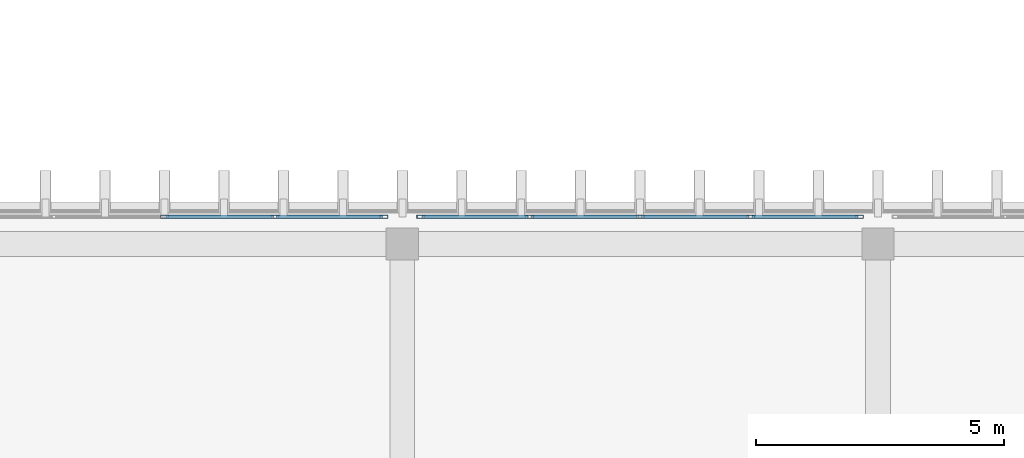
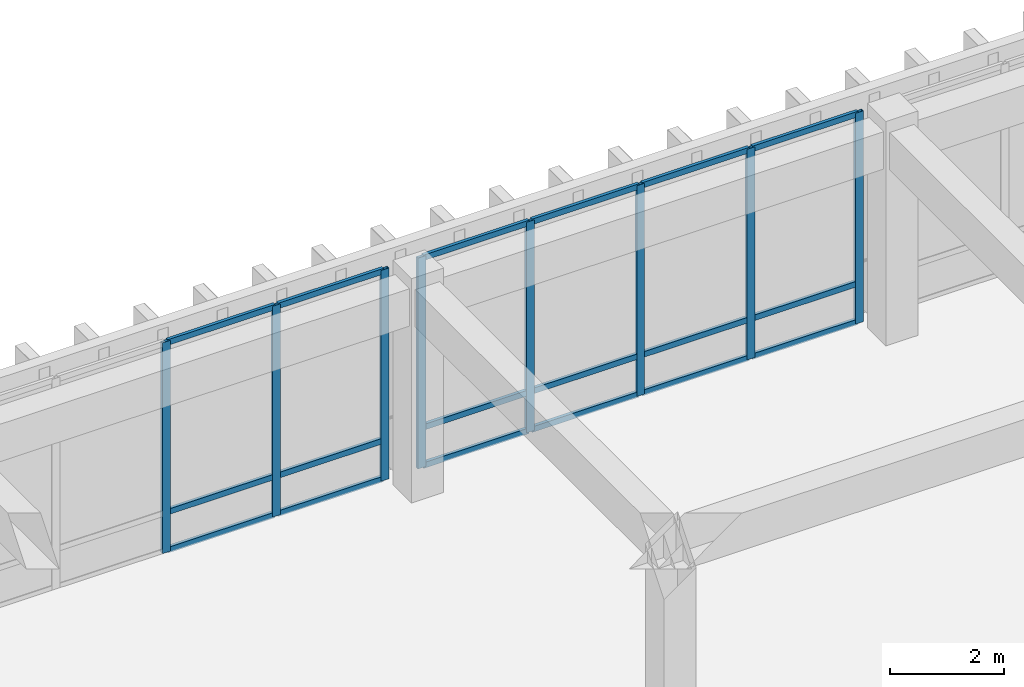
# One storey, part 28 of 101: 26 members, 2 elements without a shape of their own.
"""IFC4 building model written with IfcOpenShell, lengths in metres."""

import ifcopenshell
import ifcopenshell.guid

model = None  # the IFC model being written
_history = None  # IfcOwnerHistory: only IFC2X3 demands one
_inside = {}  # id of a spatial element -> (the spatial element, [elements in it])
_under = {}  # id of a project, library or spatial element -> (it, [spatial elements below it])
_declared = {}  # id of a project -> (the project, [libraries it declares])
_typed = {}  # id of a type object -> (the type object, [elements of that type])
_made_of = {}  # id of a material, layer set ... -> (it, [elements and type objects made of it])


def new_model(schema):
    """Start an empty IFC model of exactly this schema.

    Asked for "IFC4X3", IfcOpenShell would pick the latest addendum, in which some entities
    have other attributes; the version numbers below select the first issue.
    IFC2X3 requires an IfcOwnerHistory on every rooted entity: one is made here for all.
    """
    global model, _history
    if schema == "IFC4X3":
        model = ifcopenshell.file(schema_version=(4, 3, 0, 0))
    else:
        model = ifcopenshell.file(schema=schema)
    _inside.clear()
    _under.clear()
    _declared.clear()
    _typed.clear()
    _made_of.clear()
    _history = None
    if model.schema == "IFC2X3":
        org = make("IfcOrganization", Name="unknown")
        user = make(
            "IfcPersonAndOrganization",
            ThePerson=make("IfcPerson", FamilyName="unknown"),
            TheOrganization=org,
        )
        app = make(
            "IfcApplication",
            ApplicationDeveloper=org,
            Version="unknown",
            ApplicationFullName="unknown",
            ApplicationIdentifier="unknown",
        )
        _history = make(
            "IfcOwnerHistory",
            OwningUser=user,
            OwningApplication=app,
            ChangeAction="ADDED",
            CreationDate=0,
        )
    return model


def make(cls, **values):
    """One entity of the class cls with the attributes given. An attribute that is None is left unset."""
    return model.create_entity(
        cls, **{name: value for name, value in values.items() if value is not None}
    )


def rooted(cls, **values):
    """An entity with a GlobalId (a new one), such as an element, a storey or a relation."""
    return make(cls, GlobalId=ifcopenshell.guid.new(), OwnerHistory=_history, **values)


def si_unit(unit_type, name, prefix=None):
    """IfcSIUnit, for example si_unit("LENGTHUNIT", "METRE", prefix="MILLI")."""
    return make("IfcSIUnit", UnitType=unit_type, Prefix=prefix, Name=name)


def assignment(units):
    """IfcUnitAssignment: the units of a project."""
    return None if units is None else make("IfcUnitAssignment", Units=units)


def point(xyz):
    """IfcCartesianPoint."""
    return None if xyz is None else make("IfcCartesianPoint", Coordinates=xyz)


def direction(xyz):
    """IfcDirection."""
    return None if xyz is None else make("IfcDirection", DirectionRatios=xyz)


def frame(location, z_axis=None, x_axis=None):
    """IfcAxis2Placement3D, a coordinate frame: its origin and axes. An axis left out is left unset."""
    return make(
        "IfcAxis2Placement3D",
        Location=point(location),
        Axis=direction(z_axis),
        RefDirection=direction(x_axis),
    )


def frame_2d(location, x_axis=None):
    """IfcAxis2Placement2D, a coordinate frame in the plane: its origin and x axis."""
    return make(
        "IfcAxis2Placement2D", Location=point(location), RefDirection=direction(x_axis)
    )


def origin():
    """The frame at (0, 0, 0) with its axes left unset."""
    return frame((0.0, 0.0, 0.0))


def origin_2d():
    """The frame at (0, 0) in the plane with its x axis left unset."""
    return frame_2d((0.0, 0.0))


def place(relative_to, where):
    """IfcLocalPlacement: puts the frame where relative to a parent placement (None: the world)."""
    return make(
        "IfcLocalPlacement", PlacementRelTo=relative_to, RelativePlacement=where
    )


def context(
    kind, dimensions, precision=None, world=None, true_north=None, identifier=None
):
    """IfcGeometricRepresentationContext, for example the 3D "Model" context."""
    return make(
        "IfcGeometricRepresentationContext",
        ContextIdentifier=identifier,
        ContextType=kind,
        CoordinateSpaceDimension=dimensions,
        Precision=precision,
        WorldCoordinateSystem=world,
        TrueNorth=true_north,
    )


def subcontext(parent, identifier, kind, view, scale=None):
    """IfcGeometricRepresentationSubContext, for example "Body" below "Model"."""
    return make(
        "IfcGeometricRepresentationSubContext",
        ContextIdentifier=identifier,
        ContextType=kind,
        ParentContext=parent,
        TargetScale=scale,
        TargetView=view,
    )


def project(units=None, contexts=None):
    """IfcProject with its units and contexts."""
    return rooted(
        "IfcProject",
        Name="project",
        RepresentationContexts=contexts,
        UnitsInContext=assignment(units),
    )


def spatial(cls, under=None, at=None, **own):
    """A site, building, storey or space (cls), placed at a placement, below another one or the project."""
    s = rooted(cls, ObjectPlacement=at, **own)
    if under is not None:
        _under.setdefault(under.id(), (under, []))[1].append(s)
    return s


def profile(cls, at=None, kind="AREA", **sizes):
    """A parametric profile (cls). Its sizes go by their IFC names, for example OverallWidth=200.0."""
    return make(cls, ProfileType=kind, Position=at, **sizes)


def hollow_rectangle(**sizes):
    """IfcRectangleHollowProfileDef."""
    return profile("IfcRectangleHollowProfileDef", **sizes)


def extrude(swept, where, along, depth):
    """IfcExtrudedAreaSolid: the profile swept, set in the frame where, extruded along a direction by depth."""
    return make(
        "IfcExtrudedAreaSolid",
        SweptArea=swept,
        Position=where,
        ExtrudedDirection=direction(along),
        Depth=depth,
    )


def shape(context_of_items, identifier, shape_type, items):
    """IfcShapeRepresentation: the items that make up one representation, for example the "Body"."""
    return make(
        "IfcShapeRepresentation",
        ContextOfItems=context_of_items,
        RepresentationIdentifier=identifier,
        RepresentationType=shape_type,
        Items=items,
    )


def material(Name=None, Category=None):
    """IfcMaterial."""
    return make("IfcMaterial", Name=Name, Category=Category)


def layer(
    of_material, thickness, ventilated=None, Name=None, Category=None, Priority=None
):
    """IfcMaterialLayer: one layer of a wall or slab, of a material (None: an air gap)."""
    return make(
        "IfcMaterialLayer",
        Material=of_material,
        LayerThickness=thickness,
        IsVentilated=ventilated,
        Name=Name,
        Category=Category,
        Priority=Priority,
    )


def layer_set(layers, Name=None):
    """IfcMaterialLayerSet."""
    return make("IfcMaterialLayerSet", MaterialLayers=layers, LayerSetName=Name)


def material_profile(
    of_material, cross_section, Name=None, Category=None, Priority=None
):
    """IfcMaterialProfile: a cross section and its material."""
    return make(
        "IfcMaterialProfile",
        Name=Name,
        Material=of_material,
        Profile=cross_section,
        Priority=Priority,
        Category=Category,
    )


def profile_set(profiles, Name=None, composite=None):
    """IfcMaterialProfileSet."""
    return make(
        "IfcMaterialProfileSet",
        Name=Name,
        MaterialProfiles=profiles,
        CompositeProfile=composite,
    )


def made_of(thing, what):
    """Note that an element or type object is made of a material, layer set ...; save() writes the relation."""
    if what is not None:
        _made_of.setdefault(what.id(), (what, []))[1].append(thing)
    return thing


def type_object(cls, material=None, **own):
    """A type object (cls), such as IfcWallType, which elements share."""
    return made_of(rooted(cls, **own), material)


def element(
    cls,
    number,
    at=None,
    inside=None,
    cuts=None,
    type_object=None,
    material=None,
    context=None,
    identifier="Body",
    shape_type=None,
    held_by="IfcProductDefinitionShape",
    body=None,
    shapes=None,
    **own,
):
    """One element of the class cls, such as IfcWall. Its Tag is "e" and its number.

    at: its placement. inside: the storey or other place that contains it. cuts: it is an
    opening in that element (IfcRelVoidsElement). A single representation is given by context,
    identifier, shape_type and body (its items); several are given by shapes. held_by: the class
    of the entity that holds the representations. save() writes the other relations.
    """
    e = rooted(cls, Tag="e%d" % number, ObjectPlacement=at, **own)
    if body is not None:
        shapes = [shape(context, identifier, shape_type, body)]
    if shapes is not None:
        e.Representation = make(held_by, Representations=shapes)
    if inside is not None:
        _inside.setdefault(inside.id(), (inside, []))[1].append(e)
    if cuts is not None:
        rooted(
            "IfcRelVoidsElement", RelatingBuildingElement=cuts, RelatedOpeningElement=e
        )
    if type_object is not None:
        _typed.setdefault(type_object.id(), (type_object, []))[1].append(e)
    return made_of(e, material)


def aggregate(whole, parts):
    """IfcRelAggregates: a whole, such as a stair, and the parts it consists of."""
    return rooted("IfcRelAggregates", RelatingObject=whole, RelatedObjects=parts)


def save(model, path):
    """Write the relations noted so far, then the file.

    IfcRelAggregates (storeys below a building ...), IfcRelContainedInSpatialStructure (elements
    in a storey), IfcRelDefinesByType, IfcRelAssociatesMaterial and IfcRelDeclares: one each for
    every whole, place, type object, material and project.
    """
    for whole, parts in _under.values():
        aggregate(whole, parts)
    for where, things in _inside.values():
        rooted(
            "IfcRelContainedInSpatialStructure",
            RelatedElements=things,
            RelatingStructure=where,
        )
    for kind, things in _typed.values():
        rooted("IfcRelDefinesByType", RelatedObjects=things, RelatingType=kind)
    for what, things in _made_of.values():
        rooted("IfcRelAssociatesMaterial", RelatedObjects=things, RelatingMaterial=what)
    for by, libraries in _declared.values():
        rooted("IfcRelDeclares", RelatingContext=by, RelatedDefinitions=libraries)
    model.write(path)


model = new_model("IFC4")

# Units and contexts
model_context = context("Model", 3, precision=1e-05, world=origin(), true_north=direction((0.0, 1.0)))
body_context = subcontext(model_context, "Body", "Model", "MODEL_VIEW")
ifc_project = project(units=[si_unit("LENGTHUNIT", "METRE"), si_unit("AREAUNIT", "SQUARE_METRE"), si_unit("VOLUMEUNIT", "CUBIC_METRE"), si_unit("PLANEANGLEUNIT", "RADIAN"), si_unit("MASSUNIT", "GRAM", prefix="KILO")], contexts=[model_context])

# Site, building, storey
site_placement = place(None, origin())
site = spatial("IfcSite", under=ifc_project, at=site_placement, CompositionType="ELEMENT")
building_placement = place(site_placement, origin())
building = spatial("IfcBuilding", under=site, at=building_placement, Name="Nakhvara Creek Congress Hotel", CompositionType="ELEMENT")
storey_placement = place(building_placement, frame((0.0, 0.0, 16.199951171875)))
storey = spatial("IfcBuildingStorey", under=building, at=storey_placement, Name="L03", CompositionType="ELEMENT", Elevation=16.199951171875)

# Curtain wall, members
ifc_material_1 = material(Name="Bronze-anodised aluminium AW-6063-T6 and double-silver low-E glass", Category="aluminium")
ifc_layer = layer(ifc_material_1, 0.199951171875)
ifc_layer_set = layer_set([ifc_layer], Name="Bronze-anodised aluminium AW-6063-T6 and double-silver low-E glass")
curtain_wall_type = type_object("IfcCurtainWallType", Name="CW-POD-STICK", PredefinedType="NOTDEFINED", material=ifc_layer_set)
curtain_wall_1_placement = place(storey_placement, origin())
curtain_wall_1 = element("IfcCurtainWall", 1, at=curtain_wall_1_placement, inside=storey, type_object=curtain_wall_type, Name="Curtain Wall CW099", PredefinedType="NOTDEFINED")
ifc_material_2 = material(Name="Bronze-anodised aluminium AW-6063-T6", Category="aluminium")
ifc_material_profile_1 = material_profile(ifc_material_2, hollow_rectangle(XDim=0.06494140625, YDim=0.159912109375, WallThickness=0.00390625, at=origin_2d()), Name="ALU-MULL 65x160x4", Category="LoadBearing")
ifc_profile_set_1 = profile_set([ifc_material_profile_1], Name="Bronze-anodised aluminium AW-6063-T6")
member_type_1 = type_object("IfcMemberType", Name="CW-MULL-160", PredefinedType="MULLION", material=ifc_profile_set_1)
member_1_placement = place(storey_placement, frame((81.60009765625, 95.800048828125, 0.0), z_axis=(0.0, 0.0, 1.0), x_axis=(0.0, 1.0, 0.0)))
member_1 = element("IfcMember", 2, at=member_1_placement, type_object=member_type_1, Name="CW099 mullion 3", PredefinedType="MULLION", context=body_context, shape_type="SweptSolid", body=[
    extrude(hollow_rectangle(XDim=0.06494140625, YDim=0.159912109375, WallThickness=0.00390625, at=origin_2d()), origin(), (0.0, 0.0, 1.0), 4.510009765625),
])
member_2_placement = place(storey_placement, frame((83.830078125, 95.800048828125, 0.0), z_axis=(0.0, 0.0, 1.0), x_axis=(0.0, 1.0, 0.0)))
member_2 = element("IfcMember", 3, at=member_2_placement, type_object=member_type_1, Name="CW099 mullion 4", PredefinedType="MULLION", context=body_context, shape_type="SweptSolid", body=[
    extrude(hollow_rectangle(XDim=0.06494140625, YDim=0.159912109375, WallThickness=0.00390625, at=origin_2d()), origin(), (0.0, 0.0, 1.0), 4.510009765625),
])
member_3_placement = place(storey_placement, frame((86.027587890625, 95.800048828125, 0.0), z_axis=(0.0, 0.0, 1.0), x_axis=(0.0, 1.0, 0.0)))
member_3 = element("IfcMember", 4, at=member_3_placement, type_object=member_type_1, Name="CW099 mullion 5", PredefinedType="MULLION", context=body_context, shape_type="SweptSolid", body=[
    extrude(hollow_rectangle(XDim=0.06494140625, YDim=0.159912109375, WallThickness=0.00390625, at=origin_2d()), origin(), (0.0, 0.0, 1.0), 4.510009765625),
])

curtain_wall_2_placement = place(storey_placement, origin())
curtain_wall_2 = element("IfcCurtainWall", 5, at=curtain_wall_2_placement, inside=storey, type_object=curtain_wall_type, Name="Curtain Wall CW100", PredefinedType="NOTDEFINED")
member_4_placement = place(storey_placement, frame((86.7724609375, 95.800048828125, 0.0), z_axis=(0.0, 0.0, 1.0), x_axis=(0.0, 1.0, 0.0)))
member_4 = element("IfcMember", 6, at=member_4_placement, type_object=member_type_1, Name="CW100 mullion 1", PredefinedType="MULLION", context=body_context, shape_type="SweptSolid", body=[
    extrude(hollow_rectangle(XDim=0.06494140625, YDim=0.159912109375, WallThickness=0.00390625, at=origin_2d()), origin(), (0.0, 0.0, 1.0), 4.510009765625),
])
member_5_placement = place(storey_placement, frame((88.969970703125, 95.800048828125, 0.0), z_axis=(0.0, 0.0, 1.0), x_axis=(0.0, 1.0, 0.0)))
member_5 = element("IfcMember", 7, at=member_5_placement, type_object=member_type_1, Name="CW100 mullion 2", PredefinedType="MULLION", context=body_context, shape_type="SweptSolid", body=[
    extrude(hollow_rectangle(XDim=0.06494140625, YDim=0.159912109375, WallThickness=0.00390625, at=origin_2d()), origin(), (0.0, 0.0, 1.0), 4.510009765625),
])
member_6_placement = place(storey_placement, frame((91.199951171875, 95.800048828125, 0.0), z_axis=(0.0, 0.0, 1.0), x_axis=(0.0, 1.0, 0.0)))
member_6 = element("IfcMember", 8, at=member_6_placement, type_object=member_type_1, Name="CW100 mullion 3", PredefinedType="MULLION", context=body_context, shape_type="SweptSolid", body=[
    extrude(hollow_rectangle(XDim=0.06494140625, YDim=0.159912109375, WallThickness=0.00390625, at=origin_2d()), origin(), (0.0, 0.0, 1.0), 4.510009765625),
])
member_7_placement = place(storey_placement, frame((93.429931640625, 95.800048828125, 0.0), z_axis=(0.0, 0.0, 1.0), x_axis=(0.0, 1.0, 0.0)))
member_7 = element("IfcMember", 9, at=member_7_placement, type_object=member_type_1, Name="CW100 mullion 4", PredefinedType="MULLION", context=body_context, shape_type="SweptSolid", body=[
    extrude(hollow_rectangle(XDim=0.06494140625, YDim=0.159912109375, WallThickness=0.00390625, at=origin_2d()), origin(), (0.0, 0.0, 1.0), 4.510009765625),
])
member_8_placement = place(storey_placement, frame((95.62744140625, 95.800048828125, 0.0), z_axis=(0.0, 0.0, 1.0), x_axis=(0.0, 1.0, 0.0)))
member_8 = element("IfcMember", 10, at=member_8_placement, type_object=member_type_1, Name="CW100 mullion 5", PredefinedType="MULLION", context=body_context, shape_type="SweptSolid", body=[
    extrude(hollow_rectangle(XDim=0.06494140625, YDim=0.159912109375, WallThickness=0.00390625, at=origin_2d()), origin(), (0.0, 0.0, 1.0), 4.510009765625),
])

# Member
ifc_material_profile_2 = material_profile(ifc_material_2, hollow_rectangle(XDim=0.06494140625, YDim=0.1201171875, WallThickness=0.00390625, at=origin_2d()), Name="ALU-TRAN 65x120x4", Category="LoadBearing")
ifc_profile_set_2 = profile_set([ifc_material_profile_2], Name="Bronze-anodised aluminium AW-6063-T6")
member_type_2 = type_object("IfcMemberType", Name="CW-TRAN-120", PredefinedType="USERDEFINED", material=ifc_profile_set_2)
member_9_placement = place(storey_placement, frame((81.632568359375, 95.800048828125, 0.032470703125), z_axis=(1.0, 0.0, 0.0), x_axis=(0.0, 1.0, 0.0)))
member_9 = element("IfcMember", 11, at=member_9_placement, type_object=member_type_2, Name="CW099 transom 3.1", ObjectType="TRANSOM", PredefinedType="USERDEFINED", context=body_context, shape_type="SweptSolid", body=[
    extrude(hollow_rectangle(XDim=0.06494140625, YDim=0.1201171875, WallThickness=0.00390625, at=origin_2d()), origin(), (0.0, 0.0, 1.0), 2.1650390625),
])

member_10_placement = place(storey_placement, frame((81.632568359375, 95.800048828125, 0.85009765625), z_axis=(1.0, 0.0, 0.0), x_axis=(0.0, 1.0, 0.0)))
member_10 = element("IfcMember", 12, at=member_10_placement, type_object=member_type_2, Name="CW099 transom 3.2", ObjectType="TRANSOM", PredefinedType="USERDEFINED", context=body_context, shape_type="SweptSolid", body=[
    extrude(hollow_rectangle(XDim=0.06494140625, YDim=0.1201171875, WallThickness=0.00390625, at=origin_2d()), origin(), (0.0, 0.0, 1.0), 2.1650390625),
])

member_11_placement = place(storey_placement, frame((81.632568359375, 95.800048828125, 4.4775390625), z_axis=(1.0, 0.0, 0.0), x_axis=(0.0, 1.0, 0.0)))
member_11 = element("IfcMember", 13, at=member_11_placement, type_object=member_type_2, Name="CW099 transom 3.3", ObjectType="TRANSOM", PredefinedType="USERDEFINED", context=body_context, shape_type="SweptSolid", body=[
    extrude(hollow_rectangle(XDim=0.06494140625, YDim=0.1201171875, WallThickness=0.00390625, at=origin_2d()), origin(), (0.0, 0.0, 1.0), 2.1650390625),
])

member_12_placement = place(storey_placement, frame((83.862548828125, 95.800048828125, 0.032470703125), z_axis=(1.0, 0.0, 0.0), x_axis=(0.0, 1.0, 0.0)))
member_12 = element("IfcMember", 14, at=member_12_placement, type_object=member_type_2, Name="CW099 transom 4.1", ObjectType="TRANSOM", PredefinedType="USERDEFINED", context=body_context, shape_type="SweptSolid", body=[
    extrude(hollow_rectangle(XDim=0.06494140625, YDim=0.1201171875, WallThickness=0.00390625, at=origin_2d()), origin(), (0.0, 0.0, 1.0), 2.132568359375),
])

member_13_placement = place(storey_placement, frame((83.862548828125, 95.800048828125, 0.85009765625), z_axis=(1.0, 0.0, 0.0), x_axis=(0.0, 1.0, 0.0)))
member_13 = element("IfcMember", 15, at=member_13_placement, type_object=member_type_2, Name="CW099 transom 4.2", ObjectType="TRANSOM", PredefinedType="USERDEFINED", context=body_context, shape_type="SweptSolid", body=[
    extrude(hollow_rectangle(XDim=0.06494140625, YDim=0.1201171875, WallThickness=0.00390625, at=origin_2d()), origin(), (0.0, 0.0, 1.0), 2.132568359375),
])

member_14_placement = place(storey_placement, frame((83.862548828125, 95.800048828125, 4.4775390625), z_axis=(1.0, 0.0, 0.0), x_axis=(0.0, 1.0, 0.0)))
member_14 = element("IfcMember", 16, at=member_14_placement, type_object=member_type_2, Name="CW099 transom 4.3", ObjectType="TRANSOM", PredefinedType="USERDEFINED", context=body_context, shape_type="SweptSolid", body=[
    extrude(hollow_rectangle(XDim=0.06494140625, YDim=0.1201171875, WallThickness=0.00390625, at=origin_2d()), origin(), (0.0, 0.0, 1.0), 2.132568359375),
])

aggregate(curtain_wall_1, [member_1, member_2, member_3, member_9, member_10, member_11, member_12, member_13, member_14])

member_15_placement = place(storey_placement, frame((86.804931640625, 95.800048828125, 0.032470703125), z_axis=(1.0, 0.0, 0.0), x_axis=(0.0, 1.0, 0.0)))
member_15 = element("IfcMember", 17, at=member_15_placement, type_object=member_type_2, Name="CW100 transom 1.1", ObjectType="TRANSOM", PredefinedType="USERDEFINED", context=body_context, shape_type="SweptSolid", body=[
    extrude(hollow_rectangle(XDim=0.06494140625, YDim=0.1201171875, WallThickness=0.00390625, at=origin_2d()), origin(), (0.0, 0.0, 1.0), 2.132568359375),
])

member_16_placement = place(storey_placement, frame((86.804931640625, 95.800048828125, 0.85009765625), z_axis=(1.0, 0.0, 0.0), x_axis=(0.0, 1.0, 0.0)))
member_16 = element("IfcMember", 18, at=member_16_placement, type_object=member_type_2, Name="CW100 transom 1.2", ObjectType="TRANSOM", PredefinedType="USERDEFINED", context=body_context, shape_type="SweptSolid", body=[
    extrude(hollow_rectangle(XDim=0.06494140625, YDim=0.1201171875, WallThickness=0.00390625, at=origin_2d()), origin(), (0.0, 0.0, 1.0), 2.132568359375),
])

member_17_placement = place(storey_placement, frame((86.804931640625, 95.800048828125, 4.4775390625), z_axis=(1.0, 0.0, 0.0), x_axis=(0.0, 1.0, 0.0)))
member_17 = element("IfcMember", 19, at=member_17_placement, type_object=member_type_2, Name="CW100 transom 1.3", ObjectType="TRANSOM", PredefinedType="USERDEFINED", context=body_context, shape_type="SweptSolid", body=[
    extrude(hollow_rectangle(XDim=0.06494140625, YDim=0.1201171875, WallThickness=0.00390625, at=origin_2d()), origin(), (0.0, 0.0, 1.0), 2.132568359375),
])

member_18_placement = place(storey_placement, frame((89.00244140625, 95.800048828125, 0.032470703125), z_axis=(1.0, 0.0, 0.0), x_axis=(0.0, 1.0, 0.0)))
member_18 = element("IfcMember", 20, at=member_18_placement, type_object=member_type_2, Name="CW100 transom 2.1", ObjectType="TRANSOM", PredefinedType="USERDEFINED", context=body_context, shape_type="SweptSolid", body=[
    extrude(hollow_rectangle(XDim=0.06494140625, YDim=0.1201171875, WallThickness=0.00390625, at=origin_2d()), origin(), (0.0, 0.0, 1.0), 2.1650390625),
])

member_19_placement = place(storey_placement, frame((89.00244140625, 95.800048828125, 0.85009765625), z_axis=(1.0, 0.0, 0.0), x_axis=(0.0, 1.0, 0.0)))
member_19 = element("IfcMember", 21, at=member_19_placement, type_object=member_type_2, Name="CW100 transom 2.2", ObjectType="TRANSOM", PredefinedType="USERDEFINED", context=body_context, shape_type="SweptSolid", body=[
    extrude(hollow_rectangle(XDim=0.06494140625, YDim=0.1201171875, WallThickness=0.00390625, at=origin_2d()), origin(), (0.0, 0.0, 1.0), 2.1650390625),
])

member_20_placement = place(storey_placement, frame((89.00244140625, 95.800048828125, 4.4775390625), z_axis=(1.0, 0.0, 0.0), x_axis=(0.0, 1.0, 0.0)))
member_20 = element("IfcMember", 22, at=member_20_placement, type_object=member_type_2, Name="CW100 transom 2.3", ObjectType="TRANSOM", PredefinedType="USERDEFINED", context=body_context, shape_type="SweptSolid", body=[
    extrude(hollow_rectangle(XDim=0.06494140625, YDim=0.1201171875, WallThickness=0.00390625, at=origin_2d()), origin(), (0.0, 0.0, 1.0), 2.1650390625),
])

member_21_placement = place(storey_placement, frame((91.232421875, 95.800048828125, 0.032470703125), z_axis=(1.0, 0.0, 0.0), x_axis=(0.0, 1.0, 0.0)))
member_21 = element("IfcMember", 23, at=member_21_placement, type_object=member_type_2, Name="CW100 transom 3.1", ObjectType="TRANSOM", PredefinedType="USERDEFINED", context=body_context, shape_type="SweptSolid", body=[
    extrude(hollow_rectangle(XDim=0.06494140625, YDim=0.1201171875, WallThickness=0.00390625, at=origin_2d()), origin(), (0.0, 0.0, 1.0), 2.1650390625),
])

member_22_placement = place(storey_placement, frame((91.232421875, 95.800048828125, 0.85009765625), z_axis=(1.0, 0.0, 0.0), x_axis=(0.0, 1.0, 0.0)))
member_22 = element("IfcMember", 24, at=member_22_placement, type_object=member_type_2, Name="CW100 transom 3.2", ObjectType="TRANSOM", PredefinedType="USERDEFINED", context=body_context, shape_type="SweptSolid", body=[
    extrude(hollow_rectangle(XDim=0.06494140625, YDim=0.1201171875, WallThickness=0.00390625, at=origin_2d()), origin(), (0.0, 0.0, 1.0), 2.1650390625),
])

member_23_placement = place(storey_placement, frame((91.232421875, 95.800048828125, 4.4775390625), z_axis=(1.0, 0.0, 0.0), x_axis=(0.0, 1.0, 0.0)))
member_23 = element("IfcMember", 25, at=member_23_placement, type_object=member_type_2, Name="CW100 transom 3.3", ObjectType="TRANSOM", PredefinedType="USERDEFINED", context=body_context, shape_type="SweptSolid", body=[
    extrude(hollow_rectangle(XDim=0.06494140625, YDim=0.1201171875, WallThickness=0.00390625, at=origin_2d()), origin(), (0.0, 0.0, 1.0), 2.1650390625),
])

member_24_placement = place(storey_placement, frame((93.46240234375, 95.800048828125, 0.032470703125), z_axis=(1.0, 0.0, 0.0), x_axis=(0.0, 1.0, 0.0)))
member_24 = element("IfcMember", 26, at=member_24_placement, type_object=member_type_2, Name="CW100 transom 4.1", ObjectType="TRANSOM", PredefinedType="USERDEFINED", context=body_context, shape_type="SweptSolid", body=[
    extrude(hollow_rectangle(XDim=0.06494140625, YDim=0.1201171875, WallThickness=0.00390625, at=origin_2d()), origin(), (0.0, 0.0, 1.0), 2.132568359375),
])

member_25_placement = place(storey_placement, frame((93.46240234375, 95.800048828125, 0.85009765625), z_axis=(1.0, 0.0, 0.0), x_axis=(0.0, 1.0, 0.0)))
member_25 = element("IfcMember", 27, at=member_25_placement, type_object=member_type_2, Name="CW100 transom 4.2", ObjectType="TRANSOM", PredefinedType="USERDEFINED", context=body_context, shape_type="SweptSolid", body=[
    extrude(hollow_rectangle(XDim=0.06494140625, YDim=0.1201171875, WallThickness=0.00390625, at=origin_2d()), origin(), (0.0, 0.0, 1.0), 2.132568359375),
])

member_26_placement = place(storey_placement, frame((93.46240234375, 95.800048828125, 4.4775390625), z_axis=(1.0, 0.0, 0.0), x_axis=(0.0, 1.0, 0.0)))
member_26 = element("IfcMember", 28, at=member_26_placement, type_object=member_type_2, Name="CW100 transom 4.3", ObjectType="TRANSOM", PredefinedType="USERDEFINED", context=body_context, shape_type="SweptSolid", body=[
    extrude(hollow_rectangle(XDim=0.06494140625, YDim=0.1201171875, WallThickness=0.00390625, at=origin_2d()), origin(), (0.0, 0.0, 1.0), 2.132568359375),
])

aggregate(curtain_wall_2, [member_4, member_5, member_6, member_7, member_8, member_15, member_16, member_17, member_18, member_19, member_20, member_21, member_22, member_23, member_24, member_25, member_26])

save(model, "model.ifc")
